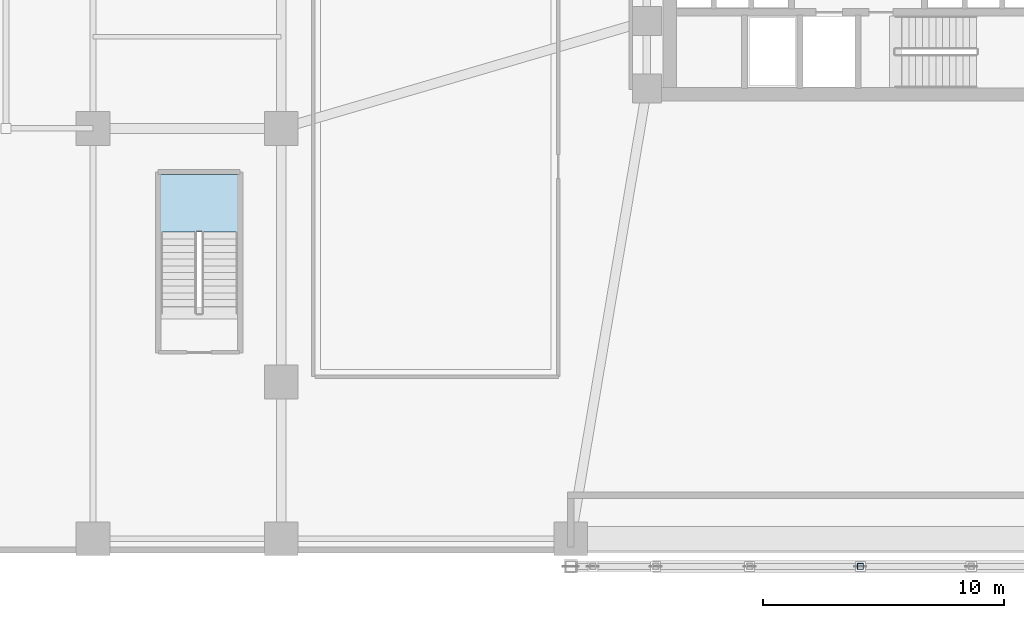
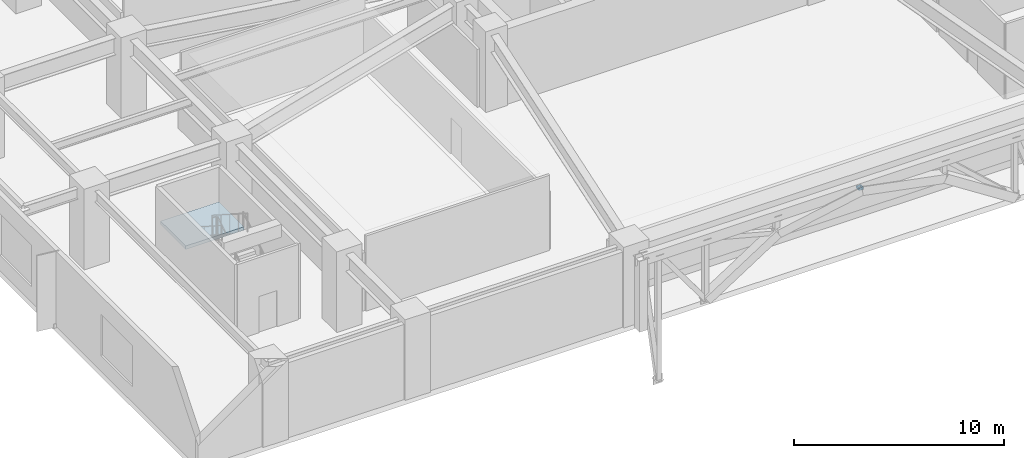
# One storey, part 7 of 21: 1 member, 1 slab, 1 element without a shape of its own.
"""IFC4 building model written with IfcOpenShell, lengths in metres."""

from ifc_helpers import new_model, si_unit, direction, frame, origin, origin_2d, place, context, subcontext, project, spatial, polyline, hollow_rectangle, outline, extrude, material, layer, layer_set, material_profile, profile_set, type_object, element, aggregate, save


model = new_model("IFC4")

# Units and contexts
model_context = context("Model", 3, precision=1e-05, world=origin(), true_north=direction((0.0, 1.0)))
body_context = subcontext(model_context, "Body", "Model", "MODEL_VIEW")
ifc_project = project(units=[si_unit("LENGTHUNIT", "METRE"), si_unit("AREAUNIT", "SQUARE_METRE"), si_unit("VOLUMEUNIT", "CUBIC_METRE"), si_unit("PLANEANGLEUNIT", "RADIAN"), si_unit("MASSUNIT", "GRAM", prefix="KILO")], contexts=[model_context])

# Site, building, storey
site_placement = place(None, origin())
site = spatial("IfcSite", under=ifc_project, at=site_placement, CompositionType="ELEMENT")
building_placement = place(site_placement, origin())
building = spatial("IfcBuilding", under=site, at=building_placement, Name="Solmarez Civic Tower", CompositionType="ELEMENT")
storey_placement = place(building_placement, frame((0.0, 0.0, 10.080078125)))
storey = spatial("IfcBuildingStorey", under=building, at=storey_placement, Name="L02", CompositionType="ELEMENT", Elevation=10.080078125)

# Member
ifc_material_1 = material(Name="Steel S355", Category="steel")
ifc_material_profile = material_profile(ifc_material_1, hollow_rectangle(XDim=0.25, YDim=0.25, WallThickness=0.011962890625, at=origin_2d()), Name="HSS250X250X12")
ifc_profile_set = profile_set([ifc_material_profile], Name="Steel S355")
member_type = type_object("IfcMemberType", Name="MEM-BRC-HSS250", PredefinedType="BRACE", material=ifc_profile_set)
member_placement = place(storey_placement, frame((0.0, -28.14990234375, 3.919921875), z_axis=(0.0, 0.0, 1.0), x_axis=(1.0, 0.0, 0.0)))
element("IfcMember", 1, at=member_placement, inside=storey, type_object=member_type, Name="South Civic Arch Spandrel Web Post 4", PredefinedType="BRACE", context=body_context, shape_type="SweptSolid", body=[
    extrude(hollow_rectangle(XDim=0.25, YDim=0.25, WallThickness=0.011962890625, at=origin_2d()), origin(), (0.0, 0.0, 1.0), 0.14990234375),
])

# Stair, slab
ifc_material_2 = material(Name="Concrete C50/60", Category="concrete")
stair_type = type_object("IfcStairType", Name="STAIR-DOGLEG-150W-26R-1800", PredefinedType="HALF_TURN_STAIR", material=ifc_material_2)
stair_placement = place(storey_placement, origin())
stair = element("IfcStair", 2, at=stair_placement, inside=storey, type_object=stair_type, Name="L02 West Podium Exit Stair ST-P1", PredefinedType="HALF_TURN_STAIR")
ifc_layer = layer(ifc_material_2, 0.199951171875)
ifc_layer_set = layer_set([ifc_layer], Name="Concrete C50/60")
slab_type = type_object("IfcSlabType", Name="SLAB-LANDING-200", PredefinedType="LANDING", material=ifc_layer_set)
slab_placement = place(storey_placement, frame((0.0, 0.0, 2.139892578125)))
slab = element("IfcSlab", 3, at=slab_placement, type_object=slab_type, Name="ST-P1 landing 1", PredefinedType="LANDING", context=body_context, shape_type="SweptSolid", body=[
    extrude(outline(polyline([(-25.800048828125, -14.2900390625), (-25.800048828125, -11.89990234375), (-29.0, -11.89990234375), (-29.0, -14.2900390625), (-25.800048828125, -14.2900390625)])), origin(), (0.0, 0.0, 1.0), 0.199951171875),
])
aggregate(stair, [slab])

save(model, "model.ifc")
